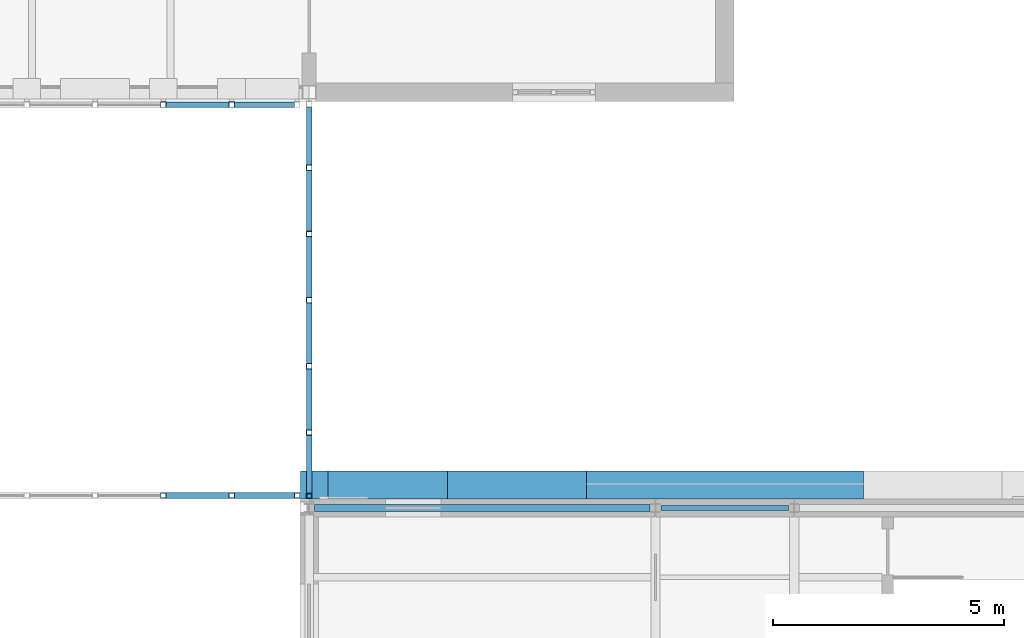
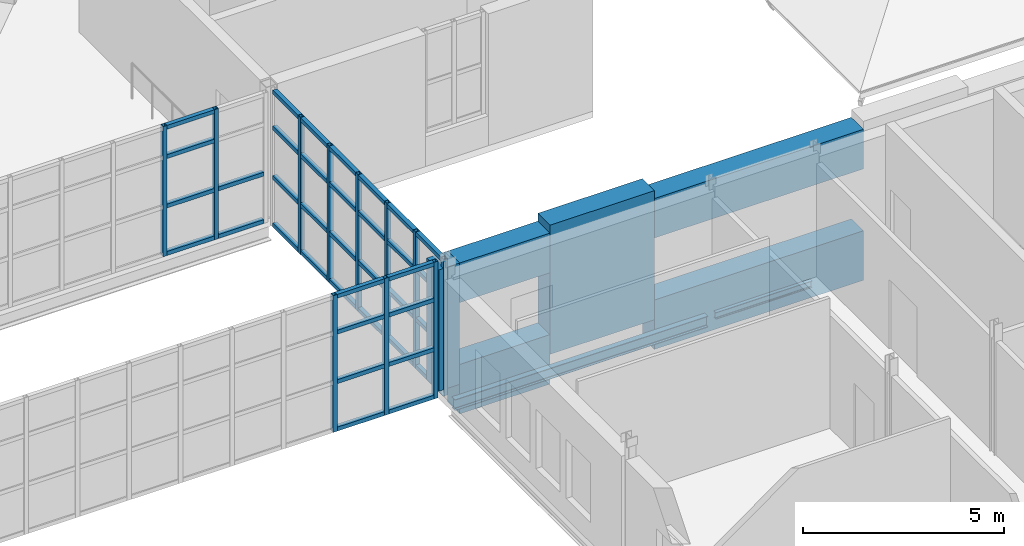
# One storey, part 45 of 154: 51 members, 6 beams, 3 elements without a shape of their own.
"""IFC4 building model written with IfcOpenShell, lengths in metres."""

from ifc_helpers import new_model, si_unit, direction, frame, origin, origin_2d, place, context, subcontext, project, spatial, rectangle, hollow_rectangle, i_section, extrude, material, material_profile, profile_set, type_object, element, aggregate, save


model = new_model("IFC4")

# Units and contexts
model_context = context("Model", 3, precision=1e-05, world=origin(), true_north=direction((0.0, 1.0)))
body_context = subcontext(model_context, "Body", "Model", "MODEL_VIEW")
ifc_project = project(units=[si_unit("LENGTHUNIT", "METRE"), si_unit("AREAUNIT", "SQUARE_METRE"), si_unit("VOLUMEUNIT", "CUBIC_METRE"), si_unit("PLANEANGLEUNIT", "RADIAN"), si_unit("MASSUNIT", "GRAM", prefix="KILO")], contexts=[model_context])

# Site, building, storey
site_placement = place(None, origin())
site = spatial("IfcSite", under=ifc_project, at=site_placement, CompositionType="ELEMENT")
building_placement = place(site_placement, origin())
building = spatial("IfcBuilding", under=site, at=building_placement, Name="Golden Quay Civic Hall", CompositionType="ELEMENT")
storey_placement = place(building_placement, frame((0.0, 0.0, 14.39990234375)))
storey = spatial("IfcBuildingStorey", under=building, at=storey_placement, Name="L03", CompositionType="ELEMENT", Elevation=14.39990234375)

# Curtain wall, members
ifc_material_1 = material(Name="Fire-resisting glass and steel", Category="steel")
curtain_wall_type_1 = type_object("IfcCurtainWallType", Name="Fire-resisting glazed curtain wall EI 120", PredefinedType="NOTDEFINED", material=ifc_material_1)
curtain_wall_1_placement = place(storey_placement, origin())
curtain_wall_1 = element("IfcCurtainWall", 1, at=curtain_wall_1_placement, inside=storey, type_object=curtain_wall_type_1, Name="CW3 curtain wall", PredefinedType="NOTDEFINED")
ifc_material_2 = material(Name="Steel S355", Category="steel")
ifc_material_profile_1 = material_profile(ifc_material_2, hollow_rectangle(XDim=0.1201171875, YDim=0.1201171875, WallThickness=0.008056640625, at=origin_2d()), Name="SHS 120x120x8")
ifc_profile_set_1 = profile_set([ifc_material_profile_1], Name="Steel S355")
member_type_1 = type_object("IfcMemberType", Name="Fire-resisting steel mullion SHS 120x120x8", PredefinedType="MULLION", material=ifc_profile_set_1)
member_1_placement = place(storey_placement, frame((95.844482421875, 54.27001953125, -0.199951171875), z_axis=(0.0, 0.0, 1.0), x_axis=(0.0, 1.0, 0.0)))
member_1 = element("IfcMember", 2, at=member_1_placement, type_object=member_type_1, Name="CW3 mullion 17", PredefinedType="MULLION", context=body_context, shape_type="SweptSolid", body=[
    extrude(hollow_rectangle(XDim=0.1201171875, YDim=0.1201171875, WallThickness=0.008056640625, at=origin_2d()), origin(), (0.0, 0.0, 1.0), 4.150146484375),
])
member_2_placement = place(storey_placement, frame((97.322265625, 54.27001953125, -0.199951171875), z_axis=(0.0, 0.0, 1.0), x_axis=(0.0, 1.0, 0.0)))
member_2 = element("IfcMember", 3, at=member_2_placement, type_object=member_type_1, Name="CW3 mullion 18", PredefinedType="MULLION", context=body_context, shape_type="SweptSolid", body=[
    extrude(hollow_rectangle(XDim=0.1201171875, YDim=0.1201171875, WallThickness=0.008056640625, at=origin_2d()), origin(), (0.0, 0.0, 1.0), 4.150146484375),
])
member_3_placement = place(storey_placement, frame((98.739990234375, 54.27001953125, -0.199951171875), z_axis=(0.0, 0.0, 1.0), x_axis=(0.0, 1.0, 0.0)))
member_3 = element("IfcMember", 4, at=member_3_placement, type_object=member_type_1, Name="CW3 mullion 19", PredefinedType="MULLION", context=body_context, shape_type="SweptSolid", body=[
    extrude(hollow_rectangle(XDim=0.1201171875, YDim=0.1201171875, WallThickness=0.008056640625, at=origin_2d()), origin(), (0.0, 0.0, 1.0), 4.150146484375),
])
ifc_material_3 = material(Name="Steel S355", Category="steel")
ifc_material_profile_2 = material_profile(ifc_material_3, hollow_rectangle(XDim=0.1201171875, YDim=0.1201171875, WallThickness=0.008056640625, at=origin_2d()), Name="SHS 120x120x8")
ifc_profile_set_2 = profile_set([ifc_material_profile_2], Name="Steel S355")
member_type_2 = type_object("IfcMemberType", Name="Fire-resisting steel transom SHS 120x120x8", PredefinedType="USERDEFINED", material=ifc_profile_set_2)
member_4_placement = place(storey_placement, frame((95.904541015625, 54.27001953125, -0.139892578125), z_axis=(1.0, 0.0, 0.0), x_axis=(0.0, 1.0, 0.0)))
member_4 = element("IfcMember", 5, at=member_4_placement, type_object=member_type_2, Name="CW3 transom 17.1", ObjectType="TRANSOM", PredefinedType="USERDEFINED", context=body_context, shape_type="SweptSolid", body=[
    extrude(hollow_rectangle(XDim=0.1201171875, YDim=0.1201171875, WallThickness=0.008056640625, at=origin_2d()), origin(), (0.0, 0.0, 1.0), 1.357666015625),
])
member_5_placement = place(storey_placement, frame((95.904541015625, 54.27001953125, 1.300048828125), z_axis=(1.0, 0.0, 0.0), x_axis=(0.0, 1.0, 0.0)))
member_5 = element("IfcMember", 6, at=member_5_placement, type_object=member_type_2, Name="CW3 transom 17.2", ObjectType="TRANSOM", PredefinedType="USERDEFINED", context=body_context, shape_type="SweptSolid", body=[
    extrude(hollow_rectangle(XDim=0.1201171875, YDim=0.1201171875, WallThickness=0.008056640625, at=origin_2d()), origin(), (0.0, 0.0, 1.0), 1.357666015625),
])
member_6_placement = place(storey_placement, frame((95.904541015625, 54.27001953125, 2.800048828125), z_axis=(1.0, 0.0, 0.0), x_axis=(0.0, 1.0, 0.0)))
member_6 = element("IfcMember", 7, at=member_6_placement, type_object=member_type_2, Name="CW3 transom 17.3", ObjectType="TRANSOM", PredefinedType="USERDEFINED", context=body_context, shape_type="SweptSolid", body=[
    extrude(hollow_rectangle(XDim=0.1201171875, YDim=0.1201171875, WallThickness=0.008056640625, at=origin_2d()), origin(), (0.0, 0.0, 1.0), 1.357666015625),
])
member_7_placement = place(storey_placement, frame((95.904541015625, 54.27001953125, 3.89013671875), z_axis=(1.0, 0.0, 0.0), x_axis=(0.0, 1.0, 0.0)))
member_7 = element("IfcMember", 8, at=member_7_placement, type_object=member_type_2, Name="CW3 transom 17.4", ObjectType="TRANSOM", PredefinedType="USERDEFINED", context=body_context, shape_type="SweptSolid", body=[
    extrude(hollow_rectangle(XDim=0.1201171875, YDim=0.1201171875, WallThickness=0.008056640625, at=origin_2d()), origin(), (0.0, 0.0, 1.0), 1.357666015625),
])
member_8_placement = place(storey_placement, frame((97.38232421875, 54.27001953125, -0.139892578125), z_axis=(1.0, 0.0, 0.0), x_axis=(0.0, 1.0, 0.0)))
member_8 = element("IfcMember", 9, at=member_8_placement, type_object=member_type_2, Name="CW3 transom 18.1", ObjectType="TRANSOM", PredefinedType="USERDEFINED", context=body_context, shape_type="SweptSolid", body=[
    extrude(hollow_rectangle(XDim=0.1201171875, YDim=0.1201171875, WallThickness=0.008056640625, at=origin_2d()), origin(), (0.0, 0.0, 1.0), 1.297607421875),
])
member_9_placement = place(storey_placement, frame((97.38232421875, 54.27001953125, 1.300048828125), z_axis=(1.0, 0.0, 0.0), x_axis=(0.0, 1.0, 0.0)))
member_9 = element("IfcMember", 10, at=member_9_placement, type_object=member_type_2, Name="CW3 transom 18.2", ObjectType="TRANSOM", PredefinedType="USERDEFINED", context=body_context, shape_type="SweptSolid", body=[
    extrude(hollow_rectangle(XDim=0.1201171875, YDim=0.1201171875, WallThickness=0.008056640625, at=origin_2d()), origin(), (0.0, 0.0, 1.0), 1.297607421875),
])
member_10_placement = place(storey_placement, frame((97.38232421875, 54.27001953125, 2.800048828125), z_axis=(1.0, 0.0, 0.0), x_axis=(0.0, 1.0, 0.0)))
member_10 = element("IfcMember", 11, at=member_10_placement, type_object=member_type_2, Name="CW3 transom 18.3", ObjectType="TRANSOM", PredefinedType="USERDEFINED", context=body_context, shape_type="SweptSolid", body=[
    extrude(hollow_rectangle(XDim=0.1201171875, YDim=0.1201171875, WallThickness=0.008056640625, at=origin_2d()), origin(), (0.0, 0.0, 1.0), 1.297607421875),
])
member_11_placement = place(storey_placement, frame((97.38232421875, 54.27001953125, 3.89013671875), z_axis=(1.0, 0.0, 0.0), x_axis=(0.0, 1.0, 0.0)))
member_11 = element("IfcMember", 12, at=member_11_placement, type_object=member_type_2, Name="CW3 transom 18.4", ObjectType="TRANSOM", PredefinedType="USERDEFINED", context=body_context, shape_type="SweptSolid", body=[
    extrude(hollow_rectangle(XDim=0.1201171875, YDim=0.1201171875, WallThickness=0.008056640625, at=origin_2d()), origin(), (0.0, 0.0, 1.0), 1.297607421875),
])
aggregate(curtain_wall_1, [member_1, member_2, member_3, member_4, member_5, member_6, member_7, member_8, member_9, member_10, member_11])

# Members
ifc_material_4 = material(Name="Concrete C40/50", Category="concrete")
ifc_material_profile_3 = material_profile(ifc_material_4, rectangle(XDim=3.0, YDim=0.60009765625, at=origin_2d()), Name="RC 3000x600")
ifc_profile_set_3 = profile_set([ifc_material_profile_3], Name="Concrete C40/50")
member_type_3 = type_object("IfcMemberType", Name="Precast concrete facade pier 3000 x 600", PredefinedType="POST", material=ifc_profile_set_3)
member_12_placement = place(storey_placement, frame((103.5, 54.5, 0.0), z_axis=(0.0, 0.0, 1.0), x_axis=(1.0, 0.0, 0.0)))
element("IfcMember", 13, at=member_12_placement, inside=storey, type_object=member_type_3, Name="Precast concrete facade pier 3000 x 600 L03 31", PredefinedType="POST", context=body_context, shape_type="SweptSolid", body=[
    extrude(rectangle(XDim=3.0, YDim=0.60009765625, at=origin_2d()), origin(), (0.0, 0.0, 1.0), 3.920166015625),
])
ifc_material_5 = material(Name="Concrete C40/50", Category="concrete")
ifc_material_profile_4 = material_profile(ifc_material_5, rectangle(XDim=0.60009765625, YDim=0.60009765625, at=origin_2d()), Name="RC 600x600")
ifc_profile_set_4 = profile_set([ifc_material_profile_4], Name="Concrete C40/50")
member_type_4 = type_object("IfcMemberType", Name="Precast concrete facade post 600 x 600", PredefinedType="POST", material=ifc_profile_set_4)
member_13_placement = place(storey_placement, frame((99.110107421875, 54.5, 0.0), z_axis=(0.0, 0.0, 1.0), x_axis=(1.0, 0.0, 0.0)))
element("IfcMember", 14, at=member_13_placement, inside=storey, type_object=member_type_4, Name="Precast concrete facade post 600 x 600 L03 10", PredefinedType="POST", context=body_context, shape_type="SweptSolid", body=[
    extrude(rectangle(XDim=0.60009765625, YDim=0.60009765625, at=origin_2d()), origin(), (0.0, 0.0, 1.0), 3.68017578125),
])

# Beams
ifc_material_6 = material(Name="Concrete C40/50", Category="concrete")
ifc_material_profile_5 = material_profile(ifc_material_6, rectangle(XDim=0.60009765625, YDim=1.199951171875, at=origin_2d()), Name="RC 600x1200")
ifc_profile_set_5 = profile_set([ifc_material_profile_5], Name="Concrete C40/50")
beam_type_1 = type_object("IfcBeamType", Name="Precast concrete spandrel beam 600 x 1200", PredefinedType="SPANDREL", material=ifc_profile_set_5)
beam_1_placement = place(storey_placement, frame((105.0, 54.5, 3.080078125), z_axis=(1.0, 0.0, 0.0), x_axis=(0.0, 1.0, 0.0)))
element("IfcBeam", 15, at=beam_1_placement, inside=storey, type_object=beam_type_1, Name="Precast concrete spandrel beam 600 x 1200 L03 17", PredefinedType="SPANDREL", context=body_context, shape_type="SweptSolid", body=[
    extrude(rectangle(XDim=0.60009765625, YDim=1.199951171875, at=origin_2d()), origin(), (0.0, 0.0, 1.0), 6.0),
])
beam_2_placement = place(storey_placement, frame((99.409912109375, 54.5, 3.080078125), z_axis=(1.0, 0.0, 0.0), x_axis=(0.0, 1.0, 0.0)))
element("IfcBeam", 16, at=beam_2_placement, inside=storey, type_object=beam_type_1, Name="Precast concrete spandrel beam 600 x 1200 L03 18", PredefinedType="SPANDREL", context=body_context, shape_type="SweptSolid", body=[
    extrude(rectangle(XDim=0.60009765625, YDim=1.199951171875, at=origin_2d()), origin(), (0.0, 0.0, 1.0), 2.590087890625),
])
ifc_material_7 = material(Name="Concrete C40/50", Category="concrete")
ifc_material_profile_6 = material_profile(ifc_material_7, rectangle(XDim=0.60009765625, YDim=1.5, at=origin_2d()), Name="RC 600x1500")
ifc_profile_set_6 = profile_set([ifc_material_profile_6], Name="Concrete C40/50")
beam_type_2 = type_object("IfcBeamType", Name="Precast concrete spandrel beam 600 x 1500", PredefinedType="SPANDREL", material=ifc_profile_set_6)
beam_3_placement = place(storey_placement, frame((105.0, 54.5, -0.14990234375), z_axis=(1.0, 0.0, 0.0), x_axis=(0.0, 1.0, 0.0)))
element("IfcBeam", 17, at=beam_3_placement, inside=storey, type_object=beam_type_2, Name="Precast concrete spandrel beam 600 x 1500 L03 36", PredefinedType="SPANDREL", context=body_context, shape_type="SweptSolid", body=[
    extrude(rectangle(XDim=0.60009765625, YDim=1.5, at=origin_2d()), origin(), (0.0, 0.0, 1.0), 6.0),
])
beam_4_placement = place(storey_placement, frame((99.409912109375, 54.5, -0.14990234375), z_axis=(1.0, 0.0, 0.0), x_axis=(0.0, 1.0, 0.0)))
element("IfcBeam", 18, at=beam_4_placement, inside=storey, type_object=beam_type_2, Name="Precast concrete spandrel beam 600 x 1500 L03 37", PredefinedType="SPANDREL", context=body_context, shape_type="SweptSolid", body=[
    extrude(rectangle(XDim=0.60009765625, YDim=1.5, at=origin_2d()), origin(), (0.0, 0.0, 1.0), 2.590087890625),
])
ifc_material_8 = material(Name="Steel S355", Category="steel")
ifc_material_profile_7 = material_profile(ifc_material_8, i_section(OverallWidth=0.10009765625, OverallDepth=0.199951171875, WebThickness=0.005615234375, FlangeThickness=0.008544921875, FilletRadius=0.011962890625, at=origin_2d()), Name="IPE 200")
ifc_profile_set_7 = profile_set([ifc_material_profile_7], Name="Steel S355")
beam_type_3 = type_object("IfcBeamType", Name="Steel beam IPE 200", PredefinedType="BEAM", material=ifc_profile_set_7)
beam_5_placement = place(storey_placement, frame((106.6201171875, 54.0, -0.2998046875), z_axis=(1.0, 0.0, 0.0), x_axis=(0.0, 1.0, 0.0)))
element("IfcBeam", 19, at=beam_5_placement, inside=storey, type_object=beam_type_3, Name="Beam S54-106.5", PredefinedType="BEAM", context=body_context, shape_type="SweptSolid", body=[
    extrude(i_section(OverallWidth=0.10009765625, OverallDepth=0.199951171875, WebThickness=0.005615234375, FlangeThickness=0.008544921875, FilletRadius=0.011962890625, at=origin_2d()), origin(), (0.0, 0.0, 1.0), 2.759765625),
])
ifc_material_9 = material(Name="Steel S355", Category="steel")
ifc_material_profile_8 = material_profile(ifc_material_9, i_section(OverallWidth=0.159912109375, OverallDepth=0.330078125, WebThickness=0.007568359375, FlangeThickness=0.011474609375, FilletRadius=0.01806640625, at=origin_2d()), Name="IPE 330")
ifc_profile_set_8 = profile_set([ifc_material_profile_8], Name="Steel S355")
beam_type_4 = type_object("IfcBeamType", Name="Steel beam IPE 330", PredefinedType="BEAM", material=ifc_profile_set_8)
beam_6_placement = place(storey_placement, frame((99.1201171875, 54.0, -0.364990234375), z_axis=(1.0, 0.0, 0.0), x_axis=(0.0, 1.0, 0.0)))
element("IfcBeam", 20, at=beam_6_placement, inside=storey, type_object=beam_type_4, Name="Beam S54-99", PredefinedType="BEAM", context=body_context, shape_type="SweptSolid", body=[
    extrude(i_section(OverallWidth=0.159912109375, OverallDepth=0.330078125, WebThickness=0.007568359375, FlangeThickness=0.011474609375, FilletRadius=0.01806640625, at=origin_2d()), origin(), (0.0, 0.0, 1.0), 7.259765625),
])

# Curtain wall, members
ifc_material_10 = material(Name="Glass and aluminium", Category="aluminium")
curtain_wall_type_2 = type_object("IfcCurtainWallType", Name="Glazed curtain wall 1500 module", PredefinedType="NOTDEFINED", material=ifc_material_10)
curtain_wall_2_placement = place(storey_placement, origin())
curtain_wall_2 = element("IfcCurtainWall", 21, at=curtain_wall_2_placement, inside=storey, type_object=curtain_wall_type_2, Name="CW1 curtain wall", PredefinedType="NOTDEFINED")
ifc_material_11 = material(Name="Steel S355", Category="steel")
ifc_material_profile_9 = material_profile(ifc_material_11, hollow_rectangle(XDim=0.1201171875, YDim=0.1201171875, WallThickness=0.008056640625, at=origin_2d()), Name="SHS 120x120x8")
ifc_profile_set_9 = profile_set([ifc_material_profile_9], Name="Steel S355")
member_type_5 = type_object("IfcMemberType", Name="Steel mullion SHS 120x120x8", PredefinedType="MULLION", material=ifc_profile_set_9)
member_14_placement = place(storey_placement, frame((95.844482421875, 62.72998046875, 0.0), z_axis=(0.0, 0.0, 1.0), x_axis=(0.0, 1.0, 0.0)))
member_14 = element("IfcMember", 22, at=member_14_placement, type_object=member_type_5, Name="CW1 mullion 17", PredefinedType="MULLION", context=body_context, shape_type="SweptSolid", body=[
    extrude(hollow_rectangle(XDim=0.1201171875, YDim=0.1201171875, WallThickness=0.008056640625, at=origin_2d()), origin(), (0.0, 0.0, 1.0), 3.9501953125),
])
member_15_placement = place(storey_placement, frame((97.322265625, 62.72998046875, 0.0), z_axis=(0.0, 0.0, 1.0), x_axis=(0.0, 1.0, 0.0)))
member_15 = element("IfcMember", 23, at=member_15_placement, type_object=member_type_5, Name="CW1 mullion 18", PredefinedType="MULLION", context=body_context, shape_type="SweptSolid", body=[
    extrude(hollow_rectangle(XDim=0.1201171875, YDim=0.1201171875, WallThickness=0.008056640625, at=origin_2d()), origin(), (0.0, 0.0, 1.0), 3.9501953125),
])

curtain_wall_3_placement = place(storey_placement, origin())
curtain_wall_3 = element("IfcCurtainWall", 24, at=curtain_wall_3_placement, inside=storey, type_object=curtain_wall_type_2, Name="CW1 curtain wall", PredefinedType="NOTDEFINED")
member_16_placement = place(storey_placement, frame((99.0, 54.260009765625, -0.199951171875), z_axis=(0.0, 0.0, 1.0), x_axis=(-1.0, 0.0, 0.0)))
member_16 = element("IfcMember", 25, at=member_16_placement, type_object=member_type_5, Name="CW1 mullion 1", PredefinedType="MULLION", context=body_context, shape_type="SweptSolid", body=[
    extrude(hollow_rectangle(XDim=0.1201171875, YDim=0.1201171875, WallThickness=0.008056640625, at=origin_2d()), origin(), (0.0, 0.0, 1.0), 4.150146484375),
])
member_17_placement = place(storey_placement, frame((99.0, 55.63330078125, -0.199951171875), z_axis=(0.0, 0.0, 1.0), x_axis=(-1.0, 0.0, 0.0)))
member_17 = element("IfcMember", 26, at=member_17_placement, type_object=member_type_5, Name="CW1 mullion 2", PredefinedType="MULLION", context=body_context, shape_type="SweptSolid", body=[
    extrude(hollow_rectangle(XDim=0.1201171875, YDim=0.1201171875, WallThickness=0.008056640625, at=origin_2d()), origin(), (0.0, 0.0, 1.0), 4.150146484375),
])
member_18_placement = place(storey_placement, frame((99.0, 57.066650390625, -0.199951171875), z_axis=(0.0, 0.0, 1.0), x_axis=(-1.0, 0.0, 0.0)))
member_18 = element("IfcMember", 27, at=member_18_placement, type_object=member_type_5, Name="CW1 mullion 3", PredefinedType="MULLION", context=body_context, shape_type="SweptSolid", body=[
    extrude(hollow_rectangle(XDim=0.1201171875, YDim=0.1201171875, WallThickness=0.008056640625, at=origin_2d()), origin(), (0.0, 0.0, 1.0), 4.150146484375),
])
member_19_placement = place(storey_placement, frame((99.0, 58.5, -0.199951171875), z_axis=(0.0, 0.0, 1.0), x_axis=(-1.0, 0.0, 0.0)))
member_19 = element("IfcMember", 28, at=member_19_placement, type_object=member_type_5, Name="CW1 mullion 4", PredefinedType="MULLION", context=body_context, shape_type="SweptSolid", body=[
    extrude(hollow_rectangle(XDim=0.1201171875, YDim=0.1201171875, WallThickness=0.008056640625, at=origin_2d()), origin(), (0.0, 0.0, 1.0), 4.150146484375),
])
member_20_placement = place(storey_placement, frame((99.0, 59.933349609375, -0.199951171875), z_axis=(0.0, 0.0, 1.0), x_axis=(-1.0, 0.0, 0.0)))
member_20 = element("IfcMember", 29, at=member_20_placement, type_object=member_type_5, Name="CW1 mullion 5", PredefinedType="MULLION", context=body_context, shape_type="SweptSolid", body=[
    extrude(hollow_rectangle(XDim=0.1201171875, YDim=0.1201171875, WallThickness=0.008056640625, at=origin_2d()), origin(), (0.0, 0.0, 1.0), 4.150146484375),
])
member_21_placement = place(storey_placement, frame((99.0, 61.36669921875, -0.199951171875), z_axis=(0.0, 0.0, 1.0), x_axis=(-1.0, 0.0, 0.0)))
member_21 = element("IfcMember", 30, at=member_21_placement, type_object=member_type_5, Name="CW1 mullion 6", PredefinedType="MULLION", context=body_context, shape_type="SweptSolid", body=[
    extrude(hollow_rectangle(XDim=0.1201171875, YDim=0.1201171875, WallThickness=0.008056640625, at=origin_2d()), origin(), (0.0, 0.0, 1.0), 4.150146484375),
])

# Member
ifc_material_12 = material(Name="Steel S355", Category="steel")
ifc_material_profile_10 = material_profile(ifc_material_12, hollow_rectangle(XDim=0.1201171875, YDim=0.1201171875, WallThickness=0.008056640625, at=origin_2d()), Name="SHS 120x120x8")
ifc_profile_set_10 = profile_set([ifc_material_profile_10], Name="Steel S355")
member_type_6 = type_object("IfcMemberType", Name="Steel transom SHS 120x120x8", PredefinedType="USERDEFINED", material=ifc_profile_set_10)
member_22_placement = place(storey_placement, frame((95.904541015625, 62.72998046875, 0.06005859375), z_axis=(1.0, 0.0, 0.0), x_axis=(0.0, 1.0, 0.0)))
member_22 = element("IfcMember", 31, at=member_22_placement, type_object=member_type_6, Name="CW1 transom 17.1", ObjectType="TRANSOM", PredefinedType="USERDEFINED", context=body_context, shape_type="SweptSolid", body=[
    extrude(hollow_rectangle(XDim=0.1201171875, YDim=0.1201171875, WallThickness=0.008056640625, at=origin_2d()), origin(), (0.0, 0.0, 1.0), 1.357666015625),
])

member_23_placement = place(storey_placement, frame((95.904541015625, 62.72998046875, 1.5), z_axis=(1.0, 0.0, 0.0), x_axis=(0.0, 1.0, 0.0)))
member_23 = element("IfcMember", 32, at=member_23_placement, type_object=member_type_6, Name="CW1 transom 17.2", ObjectType="TRANSOM", PredefinedType="USERDEFINED", context=body_context, shape_type="SweptSolid", body=[
    extrude(hollow_rectangle(XDim=0.1201171875, YDim=0.1201171875, WallThickness=0.008056640625, at=origin_2d()), origin(), (0.0, 0.0, 1.0), 1.357666015625),
])

member_24_placement = place(storey_placement, frame((95.904541015625, 62.72998046875, 3.0), z_axis=(1.0, 0.0, 0.0), x_axis=(0.0, 1.0, 0.0)))
member_24 = element("IfcMember", 33, at=member_24_placement, type_object=member_type_6, Name="CW1 transom 17.3", ObjectType="TRANSOM", PredefinedType="USERDEFINED", context=body_context, shape_type="SweptSolid", body=[
    extrude(hollow_rectangle(XDim=0.1201171875, YDim=0.1201171875, WallThickness=0.008056640625, at=origin_2d()), origin(), (0.0, 0.0, 1.0), 1.357666015625),
])

member_25_placement = place(storey_placement, frame((95.904541015625, 62.72998046875, 3.89013671875), z_axis=(1.0, 0.0, 0.0), x_axis=(0.0, 1.0, 0.0)))
member_25 = element("IfcMember", 34, at=member_25_placement, type_object=member_type_6, Name="CW1 transom 17.4", ObjectType="TRANSOM", PredefinedType="USERDEFINED", context=body_context, shape_type="SweptSolid", body=[
    extrude(hollow_rectangle(XDim=0.1201171875, YDim=0.1201171875, WallThickness=0.008056640625, at=origin_2d()), origin(), (0.0, 0.0, 1.0), 1.357666015625),
])

member_26_placement = place(storey_placement, frame((97.38232421875, 62.72998046875, 0.06005859375), z_axis=(1.0, 0.0, 0.0), x_axis=(0.0, 1.0, 0.0)))
member_26 = element("IfcMember", 35, at=member_26_placement, type_object=member_type_6, Name="CW1 transom 18.1", ObjectType="TRANSOM", PredefinedType="USERDEFINED", context=body_context, shape_type="SweptSolid", body=[
    extrude(hollow_rectangle(XDim=0.1201171875, YDim=0.1201171875, WallThickness=0.008056640625, at=origin_2d()), origin(), (0.0, 0.0, 1.0), 1.297607421875),
])

member_27_placement = place(storey_placement, frame((97.38232421875, 62.72998046875, 1.5), z_axis=(1.0, 0.0, 0.0), x_axis=(0.0, 1.0, 0.0)))
member_27 = element("IfcMember", 36, at=member_27_placement, type_object=member_type_6, Name="CW1 transom 18.2", ObjectType="TRANSOM", PredefinedType="USERDEFINED", context=body_context, shape_type="SweptSolid", body=[
    extrude(hollow_rectangle(XDim=0.1201171875, YDim=0.1201171875, WallThickness=0.008056640625, at=origin_2d()), origin(), (0.0, 0.0, 1.0), 1.297607421875),
])

aggregate(curtain_wall_2, [member_14, member_15, member_22, member_23, member_24, member_25, member_26, member_27])

member_28_placement = place(storey_placement, frame((99.0, 54.320068359375, -0.139892578125), z_axis=(0.0, 1.0, 0.0), x_axis=(-1.0, 0.0, 0.0)))
member_28 = element("IfcMember", 37, at=member_28_placement, type_object=member_type_6, Name="CW1 transom 1.1", ObjectType="TRANSOM", PredefinedType="USERDEFINED", context=body_context, shape_type="SweptSolid", body=[
    extrude(hollow_rectangle(XDim=0.1201171875, YDim=0.1201171875, WallThickness=0.008056640625, at=origin_2d()), origin(), (0.0, 0.0, 1.0), 1.253173828125),
])

member_29_placement = place(storey_placement, frame((99.0, 54.320068359375, 1.300048828125), z_axis=(0.0, 1.0, 0.0), x_axis=(-1.0, 0.0, 0.0)))
member_29 = element("IfcMember", 38, at=member_29_placement, type_object=member_type_6, Name="CW1 transom 1.2", ObjectType="TRANSOM", PredefinedType="USERDEFINED", context=body_context, shape_type="SweptSolid", body=[
    extrude(hollow_rectangle(XDim=0.1201171875, YDim=0.1201171875, WallThickness=0.008056640625, at=origin_2d()), origin(), (0.0, 0.0, 1.0), 1.253173828125),
])

member_30_placement = place(storey_placement, frame((99.0, 54.320068359375, 2.800048828125), z_axis=(0.0, 1.0, 0.0), x_axis=(-1.0, 0.0, 0.0)))
member_30 = element("IfcMember", 39, at=member_30_placement, type_object=member_type_6, Name="CW1 transom 1.3", ObjectType="TRANSOM", PredefinedType="USERDEFINED", context=body_context, shape_type="SweptSolid", body=[
    extrude(hollow_rectangle(XDim=0.1201171875, YDim=0.1201171875, WallThickness=0.008056640625, at=origin_2d()), origin(), (0.0, 0.0, 1.0), 1.253173828125),
])

member_31_placement = place(storey_placement, frame((99.0, 54.320068359375, 3.89013671875), z_axis=(0.0, 1.0, 0.0), x_axis=(-1.0, 0.0, 0.0)))
member_31 = element("IfcMember", 40, at=member_31_placement, type_object=member_type_6, Name="CW1 transom 1.4", ObjectType="TRANSOM", PredefinedType="USERDEFINED", context=body_context, shape_type="SweptSolid", body=[
    extrude(hollow_rectangle(XDim=0.1201171875, YDim=0.1201171875, WallThickness=0.008056640625, at=origin_2d()), origin(), (0.0, 0.0, 1.0), 1.253173828125),
])

member_32_placement = place(storey_placement, frame((99.0, 55.693359375, -0.139892578125), z_axis=(0.0, 1.0, 0.0), x_axis=(-1.0, 0.0, 0.0)))
member_32 = element("IfcMember", 41, at=member_32_placement, type_object=member_type_6, Name="CW1 transom 2.1", ObjectType="TRANSOM", PredefinedType="USERDEFINED", context=body_context, shape_type="SweptSolid", body=[
    extrude(hollow_rectangle(XDim=0.1201171875, YDim=0.1201171875, WallThickness=0.008056640625, at=origin_2d()), origin(), (0.0, 0.0, 1.0), 1.313232421875),
])

member_33_placement = place(storey_placement, frame((99.0, 55.693359375, 1.300048828125), z_axis=(0.0, 1.0, 0.0), x_axis=(-1.0, 0.0, 0.0)))
member_33 = element("IfcMember", 42, at=member_33_placement, type_object=member_type_6, Name="CW1 transom 2.2", ObjectType="TRANSOM", PredefinedType="USERDEFINED", context=body_context, shape_type="SweptSolid", body=[
    extrude(hollow_rectangle(XDim=0.1201171875, YDim=0.1201171875, WallThickness=0.008056640625, at=origin_2d()), origin(), (0.0, 0.0, 1.0), 1.313232421875),
])

member_34_placement = place(storey_placement, frame((99.0, 55.693359375, 2.800048828125), z_axis=(0.0, 1.0, 0.0), x_axis=(-1.0, 0.0, 0.0)))
member_34 = element("IfcMember", 43, at=member_34_placement, type_object=member_type_6, Name="CW1 transom 2.3", ObjectType="TRANSOM", PredefinedType="USERDEFINED", context=body_context, shape_type="SweptSolid", body=[
    extrude(hollow_rectangle(XDim=0.1201171875, YDim=0.1201171875, WallThickness=0.008056640625, at=origin_2d()), origin(), (0.0, 0.0, 1.0), 1.313232421875),
])

member_35_placement = place(storey_placement, frame((99.0, 55.693359375, 3.89013671875), z_axis=(0.0, 1.0, 0.0), x_axis=(-1.0, 0.0, 0.0)))
member_35 = element("IfcMember", 44, at=member_35_placement, type_object=member_type_6, Name="CW1 transom 2.4", ObjectType="TRANSOM", PredefinedType="USERDEFINED", context=body_context, shape_type="SweptSolid", body=[
    extrude(hollow_rectangle(XDim=0.1201171875, YDim=0.1201171875, WallThickness=0.008056640625, at=origin_2d()), origin(), (0.0, 0.0, 1.0), 1.313232421875),
])

member_36_placement = place(storey_placement, frame((99.0, 57.126708984375, -0.139892578125), z_axis=(0.0, 1.0, 0.0), x_axis=(-1.0, 0.0, 0.0)))
member_36 = element("IfcMember", 45, at=member_36_placement, type_object=member_type_6, Name="CW1 transom 3.1", ObjectType="TRANSOM", PredefinedType="USERDEFINED", context=body_context, shape_type="SweptSolid", body=[
    extrude(hollow_rectangle(XDim=0.1201171875, YDim=0.1201171875, WallThickness=0.008056640625, at=origin_2d()), origin(), (0.0, 0.0, 1.0), 1.313232421875),
])

member_37_placement = place(storey_placement, frame((99.0, 57.126708984375, 1.300048828125), z_axis=(0.0, 1.0, 0.0), x_axis=(-1.0, 0.0, 0.0)))
member_37 = element("IfcMember", 46, at=member_37_placement, type_object=member_type_6, Name="CW1 transom 3.2", ObjectType="TRANSOM", PredefinedType="USERDEFINED", context=body_context, shape_type="SweptSolid", body=[
    extrude(hollow_rectangle(XDim=0.1201171875, YDim=0.1201171875, WallThickness=0.008056640625, at=origin_2d()), origin(), (0.0, 0.0, 1.0), 1.313232421875),
])

member_38_placement = place(storey_placement, frame((99.0, 57.126708984375, 2.800048828125), z_axis=(0.0, 1.0, 0.0), x_axis=(-1.0, 0.0, 0.0)))
member_38 = element("IfcMember", 47, at=member_38_placement, type_object=member_type_6, Name="CW1 transom 3.3", ObjectType="TRANSOM", PredefinedType="USERDEFINED", context=body_context, shape_type="SweptSolid", body=[
    extrude(hollow_rectangle(XDim=0.1201171875, YDim=0.1201171875, WallThickness=0.008056640625, at=origin_2d()), origin(), (0.0, 0.0, 1.0), 1.313232421875),
])

member_39_placement = place(storey_placement, frame((99.0, 57.126708984375, 3.89013671875), z_axis=(0.0, 1.0, 0.0), x_axis=(-1.0, 0.0, 0.0)))
member_39 = element("IfcMember", 48, at=member_39_placement, type_object=member_type_6, Name="CW1 transom 3.4", ObjectType="TRANSOM", PredefinedType="USERDEFINED", context=body_context, shape_type="SweptSolid", body=[
    extrude(hollow_rectangle(XDim=0.1201171875, YDim=0.1201171875, WallThickness=0.008056640625, at=origin_2d()), origin(), (0.0, 0.0, 1.0), 1.313232421875),
])

member_40_placement = place(storey_placement, frame((99.0, 58.56005859375, -0.139892578125), z_axis=(0.0, 1.0, 0.0), x_axis=(-1.0, 0.0, 0.0)))
member_40 = element("IfcMember", 49, at=member_40_placement, type_object=member_type_6, Name="CW1 transom 4.1", ObjectType="TRANSOM", PredefinedType="USERDEFINED", context=body_context, shape_type="SweptSolid", body=[
    extrude(hollow_rectangle(XDim=0.1201171875, YDim=0.1201171875, WallThickness=0.008056640625, at=origin_2d()), origin(), (0.0, 0.0, 1.0), 1.313232421875),
])

member_41_placement = place(storey_placement, frame((99.0, 58.56005859375, 1.300048828125), z_axis=(0.0, 1.0, 0.0), x_axis=(-1.0, 0.0, 0.0)))
member_41 = element("IfcMember", 50, at=member_41_placement, type_object=member_type_6, Name="CW1 transom 4.2", ObjectType="TRANSOM", PredefinedType="USERDEFINED", context=body_context, shape_type="SweptSolid", body=[
    extrude(hollow_rectangle(XDim=0.1201171875, YDim=0.1201171875, WallThickness=0.008056640625, at=origin_2d()), origin(), (0.0, 0.0, 1.0), 1.313232421875),
])

member_42_placement = place(storey_placement, frame((99.0, 58.56005859375, 2.800048828125), z_axis=(0.0, 1.0, 0.0), x_axis=(-1.0, 0.0, 0.0)))
member_42 = element("IfcMember", 51, at=member_42_placement, type_object=member_type_6, Name="CW1 transom 4.3", ObjectType="TRANSOM", PredefinedType="USERDEFINED", context=body_context, shape_type="SweptSolid", body=[
    extrude(hollow_rectangle(XDim=0.1201171875, YDim=0.1201171875, WallThickness=0.008056640625, at=origin_2d()), origin(), (0.0, 0.0, 1.0), 1.313232421875),
])

member_43_placement = place(storey_placement, frame((99.0, 58.56005859375, 3.89013671875), z_axis=(0.0, 1.0, 0.0), x_axis=(-1.0, 0.0, 0.0)))
member_43 = element("IfcMember", 52, at=member_43_placement, type_object=member_type_6, Name="CW1 transom 4.4", ObjectType="TRANSOM", PredefinedType="USERDEFINED", context=body_context, shape_type="SweptSolid", body=[
    extrude(hollow_rectangle(XDim=0.1201171875, YDim=0.1201171875, WallThickness=0.008056640625, at=origin_2d()), origin(), (0.0, 0.0, 1.0), 1.313232421875),
])

member_44_placement = place(storey_placement, frame((99.0, 59.993408203125, -0.139892578125), z_axis=(0.0, 1.0, 0.0), x_axis=(-1.0, 0.0, 0.0)))
member_44 = element("IfcMember", 53, at=member_44_placement, type_object=member_type_6, Name="CW1 transom 5.1", ObjectType="TRANSOM", PredefinedType="USERDEFINED", context=body_context, shape_type="SweptSolid", body=[
    extrude(hollow_rectangle(XDim=0.1201171875, YDim=0.1201171875, WallThickness=0.008056640625, at=origin_2d()), origin(), (0.0, 0.0, 1.0), 1.313232421875),
])

member_45_placement = place(storey_placement, frame((99.0, 59.993408203125, 1.300048828125), z_axis=(0.0, 1.0, 0.0), x_axis=(-1.0, 0.0, 0.0)))
member_45 = element("IfcMember", 54, at=member_45_placement, type_object=member_type_6, Name="CW1 transom 5.2", ObjectType="TRANSOM", PredefinedType="USERDEFINED", context=body_context, shape_type="SweptSolid", body=[
    extrude(hollow_rectangle(XDim=0.1201171875, YDim=0.1201171875, WallThickness=0.008056640625, at=origin_2d()), origin(), (0.0, 0.0, 1.0), 1.313232421875),
])

member_46_placement = place(storey_placement, frame((99.0, 59.993408203125, 2.800048828125), z_axis=(0.0, 1.0, 0.0), x_axis=(-1.0, 0.0, 0.0)))
member_46 = element("IfcMember", 55, at=member_46_placement, type_object=member_type_6, Name="CW1 transom 5.3", ObjectType="TRANSOM", PredefinedType="USERDEFINED", context=body_context, shape_type="SweptSolid", body=[
    extrude(hollow_rectangle(XDim=0.1201171875, YDim=0.1201171875, WallThickness=0.008056640625, at=origin_2d()), origin(), (0.0, 0.0, 1.0), 1.313232421875),
])

member_47_placement = place(storey_placement, frame((99.0, 59.993408203125, 3.89013671875), z_axis=(0.0, 1.0, 0.0), x_axis=(-1.0, 0.0, 0.0)))
member_47 = element("IfcMember", 56, at=member_47_placement, type_object=member_type_6, Name="CW1 transom 5.4", ObjectType="TRANSOM", PredefinedType="USERDEFINED", context=body_context, shape_type="SweptSolid", body=[
    extrude(hollow_rectangle(XDim=0.1201171875, YDim=0.1201171875, WallThickness=0.008056640625, at=origin_2d()), origin(), (0.0, 0.0, 1.0), 1.313232421875),
])

member_48_placement = place(storey_placement, frame((99.0, 61.4267578125, -0.139892578125), z_axis=(0.0, 1.0, 0.0), x_axis=(-1.0, 0.0, 0.0)))
member_48 = element("IfcMember", 57, at=member_48_placement, type_object=member_type_6, Name="CW1 transom 6.1", ObjectType="TRANSOM", PredefinedType="USERDEFINED", context=body_context, shape_type="SweptSolid", body=[
    extrude(hollow_rectangle(XDim=0.1201171875, YDim=0.1201171875, WallThickness=0.008056640625, at=origin_2d()), origin(), (0.0, 0.0, 1.0), 1.253173828125),
])

member_49_placement = place(storey_placement, frame((99.0, 61.4267578125, 1.300048828125), z_axis=(0.0, 1.0, 0.0), x_axis=(-1.0, 0.0, 0.0)))
member_49 = element("IfcMember", 58, at=member_49_placement, type_object=member_type_6, Name="CW1 transom 6.2", ObjectType="TRANSOM", PredefinedType="USERDEFINED", context=body_context, shape_type="SweptSolid", body=[
    extrude(hollow_rectangle(XDim=0.1201171875, YDim=0.1201171875, WallThickness=0.008056640625, at=origin_2d()), origin(), (0.0, 0.0, 1.0), 1.253173828125),
])

member_50_placement = place(storey_placement, frame((99.0, 61.4267578125, 2.800048828125), z_axis=(0.0, 1.0, 0.0), x_axis=(-1.0, 0.0, 0.0)))
member_50 = element("IfcMember", 59, at=member_50_placement, type_object=member_type_6, Name="CW1 transom 6.3", ObjectType="TRANSOM", PredefinedType="USERDEFINED", context=body_context, shape_type="SweptSolid", body=[
    extrude(hollow_rectangle(XDim=0.1201171875, YDim=0.1201171875, WallThickness=0.008056640625, at=origin_2d()), origin(), (0.0, 0.0, 1.0), 1.253173828125),
])

member_51_placement = place(storey_placement, frame((99.0, 61.4267578125, 3.89013671875), z_axis=(0.0, 1.0, 0.0), x_axis=(-1.0, 0.0, 0.0)))
member_51 = element("IfcMember", 60, at=member_51_placement, type_object=member_type_6, Name="CW1 transom 6.4", ObjectType="TRANSOM", PredefinedType="USERDEFINED", context=body_context, shape_type="SweptSolid", body=[
    extrude(hollow_rectangle(XDim=0.1201171875, YDim=0.1201171875, WallThickness=0.008056640625, at=origin_2d()), origin(), (0.0, 0.0, 1.0), 1.253173828125),
])

aggregate(curtain_wall_3, [member_16, member_17, member_18, member_19, member_20, member_21, member_28, member_29, member_30, member_31, member_32, member_33, member_34, member_35, member_36, member_37, member_38, member_39, member_40, member_41, member_42, member_43, member_44, member_45, member_46, member_47, member_48, member_49, member_50, member_51])

save(model, "model.ifc")
